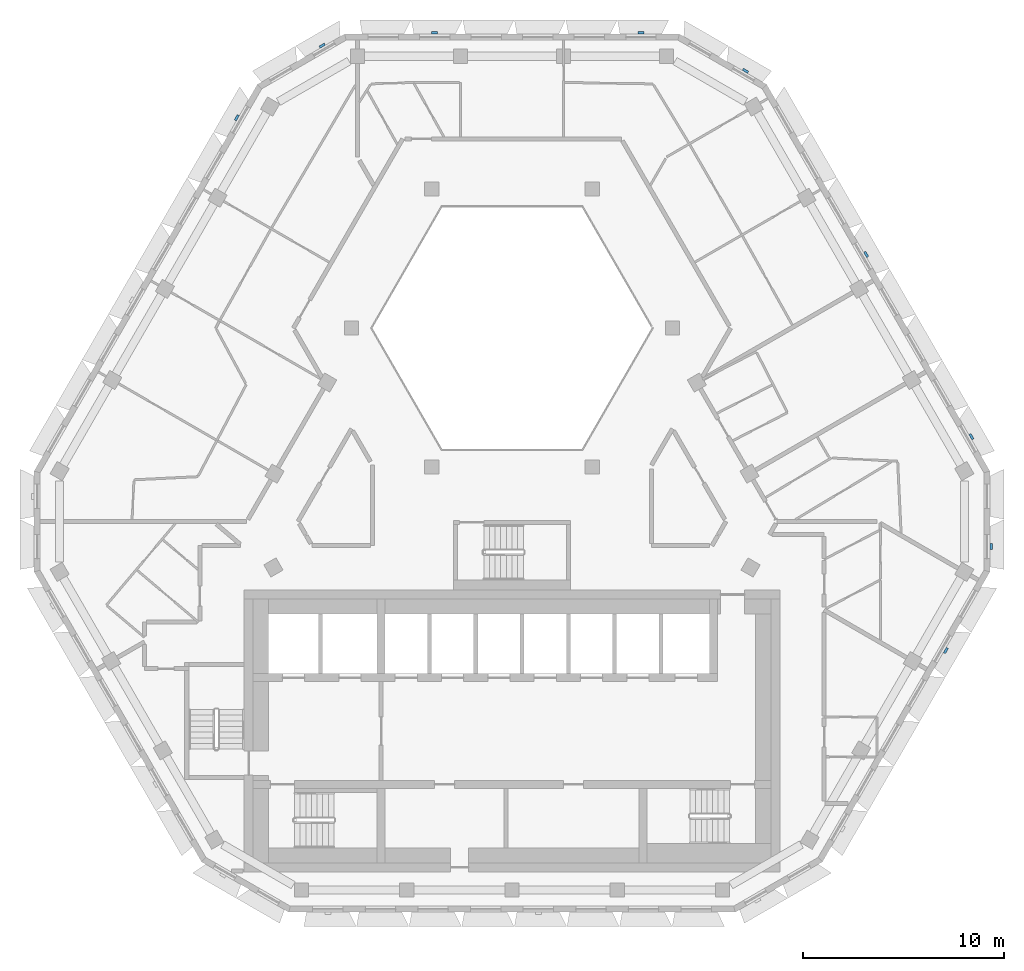
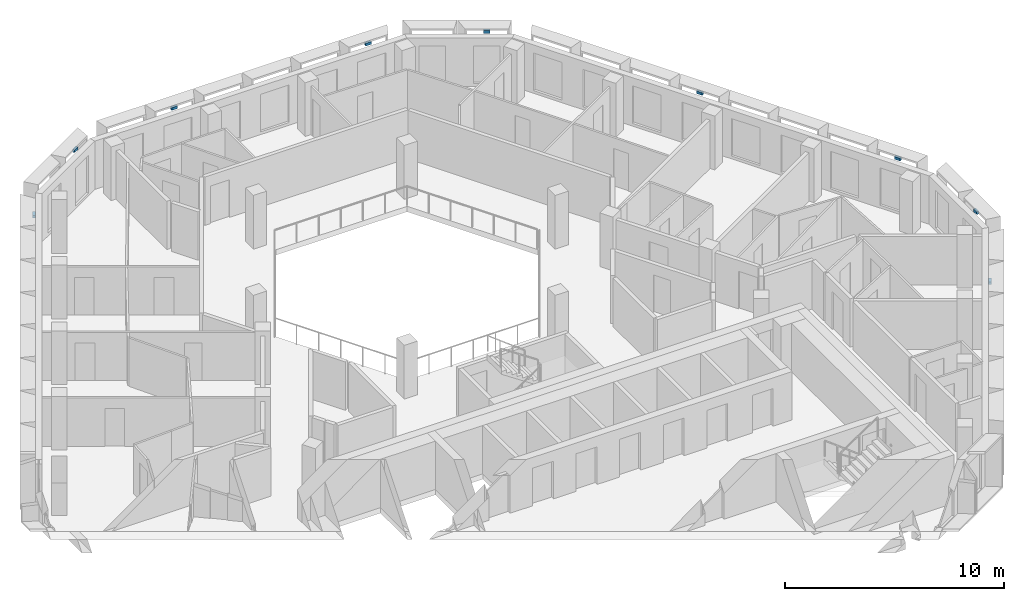
# One storey, part 9 of 16: 9 discrete accessories.
"""IFC4 building model written with IfcOpenShell, lengths in metres."""

import ifcopenshell
import ifcopenshell.guid

model = None  # the IFC model being written
_history = None  # IfcOwnerHistory: only IFC2X3 demands one
_inside = {}  # id of a spatial element -> (the spatial element, [elements in it])
_under = {}  # id of a project, library or spatial element -> (it, [spatial elements below it])
_declared = {}  # id of a project -> (the project, [libraries it declares])
_typed = {}  # id of a type object -> (the type object, [elements of that type])
_made_of = {}  # id of a material, layer set ... -> (it, [elements and type objects made of it])


def new_model(schema):
    """Start an empty IFC model of exactly this schema.

    Asked for "IFC4X3", IfcOpenShell would pick the latest addendum, in which some entities
    have other attributes; the version numbers below select the first issue.
    IFC2X3 requires an IfcOwnerHistory on every rooted entity: one is made here for all.
    """
    global model, _history
    if schema == "IFC4X3":
        model = ifcopenshell.file(schema_version=(4, 3, 0, 0))
    else:
        model = ifcopenshell.file(schema=schema)
    _inside.clear()
    _under.clear()
    _declared.clear()
    _typed.clear()
    _made_of.clear()
    _history = None
    if model.schema == "IFC2X3":
        org = make("IfcOrganization", Name="unknown")
        user = make(
            "IfcPersonAndOrganization",
            ThePerson=make("IfcPerson", FamilyName="unknown"),
            TheOrganization=org,
        )
        app = make(
            "IfcApplication",
            ApplicationDeveloper=org,
            Version="unknown",
            ApplicationFullName="unknown",
            ApplicationIdentifier="unknown",
        )
        _history = make(
            "IfcOwnerHistory",
            OwningUser=user,
            OwningApplication=app,
            ChangeAction="ADDED",
            CreationDate=0,
        )
    return model


def make(cls, **values):
    """One entity of the class cls with the attributes given. An attribute that is None is left unset."""
    return model.create_entity(
        cls, **{name: value for name, value in values.items() if value is not None}
    )


def rooted(cls, **values):
    """An entity with a GlobalId (a new one), such as an element, a storey or a relation."""
    return make(cls, GlobalId=ifcopenshell.guid.new(), OwnerHistory=_history, **values)


def si_unit(unit_type, name, prefix=None):
    """IfcSIUnit, for example si_unit("LENGTHUNIT", "METRE", prefix="MILLI")."""
    return make("IfcSIUnit", UnitType=unit_type, Prefix=prefix, Name=name)


def assignment(units):
    """IfcUnitAssignment: the units of a project."""
    return None if units is None else make("IfcUnitAssignment", Units=units)


def point(xyz):
    """IfcCartesianPoint."""
    return None if xyz is None else make("IfcCartesianPoint", Coordinates=xyz)


def direction(xyz):
    """IfcDirection."""
    return None if xyz is None else make("IfcDirection", DirectionRatios=xyz)


def frame(location, z_axis=None, x_axis=None):
    """IfcAxis2Placement3D, a coordinate frame: its origin and axes. An axis left out is left unset."""
    return make(
        "IfcAxis2Placement3D",
        Location=point(location),
        Axis=direction(z_axis),
        RefDirection=direction(x_axis),
    )


def origin():
    """The frame at (0, 0, 0) with its axes left unset."""
    return frame((0.0, 0.0, 0.0))


def place(relative_to, where):
    """IfcLocalPlacement: puts the frame where relative to a parent placement (None: the world)."""
    return make(
        "IfcLocalPlacement", PlacementRelTo=relative_to, RelativePlacement=where
    )


def context(
    kind, dimensions, precision=None, world=None, true_north=None, identifier=None
):
    """IfcGeometricRepresentationContext, for example the 3D "Model" context."""
    return make(
        "IfcGeometricRepresentationContext",
        ContextIdentifier=identifier,
        ContextType=kind,
        CoordinateSpaceDimension=dimensions,
        Precision=precision,
        WorldCoordinateSystem=world,
        TrueNorth=true_north,
    )


def subcontext(parent, identifier, kind, view, scale=None):
    """IfcGeometricRepresentationSubContext, for example "Body" below "Model"."""
    return make(
        "IfcGeometricRepresentationSubContext",
        ContextIdentifier=identifier,
        ContextType=kind,
        ParentContext=parent,
        TargetScale=scale,
        TargetView=view,
    )


def project(units=None, contexts=None):
    """IfcProject with its units and contexts."""
    return rooted(
        "IfcProject",
        Name="project",
        RepresentationContexts=contexts,
        UnitsInContext=assignment(units),
    )


def spatial(cls, under=None, at=None, **own):
    """A site, building, storey or space (cls), placed at a placement, below another one or the project."""
    s = rooted(cls, ObjectPlacement=at, **own)
    if under is not None:
        _under.setdefault(under.id(), (under, []))[1].append(s)
    return s


def polyline(points):
    """IfcPolyline through the points."""
    return make("IfcPolyline", Points=[point(p) for p in points])


def outline(outer, holes=None, kind="AREA"):
    """IfcArbitraryClosedProfileDef: a profile drawn as a closed curve; with holes, ...WithVoids."""
    if holes is None:
        return make("IfcArbitraryClosedProfileDef", ProfileType=kind, OuterCurve=outer)
    return make(
        "IfcArbitraryProfileDefWithVoids",
        ProfileType=kind,
        OuterCurve=outer,
        InnerCurves=holes,
    )


def extrude(swept, where, along, depth):
    """IfcExtrudedAreaSolid: the profile swept, set in the frame where, extruded along a direction by depth."""
    return make(
        "IfcExtrudedAreaSolid",
        SweptArea=swept,
        Position=where,
        ExtrudedDirection=direction(along),
        Depth=depth,
    )


def shape(context_of_items, identifier, shape_type, items):
    """IfcShapeRepresentation: the items that make up one representation, for example the "Body"."""
    return make(
        "IfcShapeRepresentation",
        ContextOfItems=context_of_items,
        RepresentationIdentifier=identifier,
        RepresentationType=shape_type,
        Items=items,
    )


def source(mapping_origin, context_of_items, identifier, shape_type, items):
    """IfcRepresentationMap: a shape defined once, which mapped items show again and again."""
    return make(
        "IfcRepresentationMap",
        MappingOrigin=mapping_origin,
        MappedRepresentation=shape(context_of_items, identifier, shape_type, items),
    )


def transform(
    local_origin,
    x_axis=None,
    y_axis=None,
    z_axis=None,
    scale=None,
    scale2=None,
    scale3=None,
    uniform=True,
):
    """IfcCartesianTransformationOperator3D, or its non-uniform kind. x_axis, y_axis, z_axis: its Axis1, 2, 3."""
    if uniform:
        return make(
            "IfcCartesianTransformationOperator3D",
            Axis1=direction(x_axis),
            Axis2=direction(y_axis),
            LocalOrigin=point(local_origin),
            Scale=scale,
            Axis3=direction(z_axis),
        )
    return make(
        "IfcCartesianTransformationOperator3DnonUniform",
        Axis1=direction(x_axis),
        Axis2=direction(y_axis),
        LocalOrigin=point(local_origin),
        Scale=scale,
        Axis3=direction(z_axis),
        Scale2=scale2,
        Scale3=scale3,
    )


def mapped(mapping_source, mapping_target):
    """IfcMappedItem: shows the shape of a source again, moved by a transform."""
    return make(
        "IfcMappedItem", MappingSource=mapping_source, MappingTarget=mapping_target
    )


def material(Name=None, Category=None):
    """IfcMaterial."""
    return make("IfcMaterial", Name=Name, Category=Category)


def made_of(thing, what):
    """Note that an element or type object is made of a material, layer set ...; save() writes the relation."""
    if what is not None:
        _made_of.setdefault(what.id(), (what, []))[1].append(thing)
    return thing


def type_object(cls, material=None, **own):
    """A type object (cls), such as IfcWallType, which elements share."""
    return made_of(rooted(cls, **own), material)


def type_shapes(of_type, sources):
    """Give a type object the sources (RepresentationMaps) that its elements show as mapped items."""
    of_type.RepresentationMaps = sources


def element(
    cls,
    number,
    at=None,
    inside=None,
    cuts=None,
    type_object=None,
    material=None,
    context=None,
    identifier="Body",
    shape_type=None,
    held_by="IfcProductDefinitionShape",
    body=None,
    shapes=None,
    **own,
):
    """One element of the class cls, such as IfcWall. Its Tag is "e" and its number.

    at: its placement. inside: the storey or other place that contains it. cuts: it is an
    opening in that element (IfcRelVoidsElement). A single representation is given by context,
    identifier, shape_type and body (its items); several are given by shapes. held_by: the class
    of the entity that holds the representations. save() writes the other relations.
    """
    e = rooted(cls, Tag="e%d" % number, ObjectPlacement=at, **own)
    if body is not None:
        shapes = [shape(context, identifier, shape_type, body)]
    if shapes is not None:
        e.Representation = make(held_by, Representations=shapes)
    if inside is not None:
        _inside.setdefault(inside.id(), (inside, []))[1].append(e)
    if cuts is not None:
        rooted(
            "IfcRelVoidsElement", RelatingBuildingElement=cuts, RelatedOpeningElement=e
        )
    if type_object is not None:
        _typed.setdefault(type_object.id(), (type_object, []))[1].append(e)
    return made_of(e, material)


def aggregate(whole, parts):
    """IfcRelAggregates: a whole, such as a stair, and the parts it consists of."""
    return rooted("IfcRelAggregates", RelatingObject=whole, RelatedObjects=parts)


def save(model, path):
    """Write the relations noted so far, then the file.

    IfcRelAggregates (storeys below a building ...), IfcRelContainedInSpatialStructure (elements
    in a storey), IfcRelDefinesByType, IfcRelAssociatesMaterial and IfcRelDeclares: one each for
    every whole, place, type object, material and project.
    """
    for whole, parts in _under.values():
        aggregate(whole, parts)
    for where, things in _inside.values():
        rooted(
            "IfcRelContainedInSpatialStructure",
            RelatedElements=things,
            RelatingStructure=where,
        )
    for kind, things in _typed.values():
        rooted("IfcRelDefinesByType", RelatedObjects=things, RelatingType=kind)
    for what, things in _made_of.values():
        rooted("IfcRelAssociatesMaterial", RelatedObjects=things, RelatingMaterial=what)
    for by, libraries in _declared.values():
        rooted("IfcRelDeclares", RelatingContext=by, RelatedDefinitions=libraries)
    model.write(path)


model = new_model("IFC4")

# Units and contexts
model_context = context("Model", 3, precision=1e-05, world=origin(), true_north=direction((0.0, 1.0)))
body_context = subcontext(model_context, "Body", "Model", "MODEL_VIEW")
ifc_project = project(units=[si_unit("LENGTHUNIT", "METRE"), si_unit("AREAUNIT", "SQUARE_METRE"), si_unit("VOLUMEUNIT", "CUBIC_METRE"), si_unit("PLANEANGLEUNIT", "RADIAN"), si_unit("MASSUNIT", "GRAM", prefix="KILO")], contexts=[model_context])

# Site, building, storey
site_placement = place(None, origin())
site = spatial("IfcSite", under=ifc_project, at=site_placement, CompositionType="ELEMENT")
building_placement = place(site_placement, origin())
building = spatial("IfcBuilding", under=site, at=building_placement, Name="Beryl Residences", CompositionType="ELEMENT")
storey_placement = place(building_placement, frame((0.0, 0.0, 238.800048828125)))
storey = spatial("IfcBuildingStorey", under=building, at=storey_placement, Name="L74", CompositionType="ELEMENT", Elevation=238.800048828125)

# Discrete accessories
ifc_material = material(Name="Steel S355", Category="steel")
discrete_accessory_type = type_object("IfcDiscreteAccessoryType", Name="BR1 frame bracket 300 x 120 x 150 mm", PredefinedType="BRACKET", material=ifc_material)
shared_shape = source(origin(), body_context, "Body", "SweptSolid", [
    extrude(outline(polyline([(-0.14990234375, 0.0), (0.14990234375, 0.0), (0.14990234375, 0.1201171875), (-0.14990234375, 0.1201171875), (-0.14990234375, 0.0)])), origin(), (0.0, 0.0, 1.0), 0.14990234375),
])
type_shapes(discrete_accessory_type, [shared_shape])
for number, where, z_axis, x_axis, name in (
    (1, (6.39892578125, 22.60009765625, 2.75), (0.0, 0.0, 1.0), (1.0, 0.0, 0.0), "BR1 bracket L74 N 1"),
    (2, (-3.839111328125, 22.60009765625, 2.75), (0.0, 0.0, 1.0), (1.0, 0.0, 0.0), "BR1 bracket L74 N 5"),
    (3, (-9.39599609375, 21.97509765625, 2.75), (0.0, 0.0, 1.0), (0.866025403784, 0.5, 0.0), "BR1 bracket L74 N-NW 1"),
    (4, (-13.614013671875, 18.4189453125, 2.75), (0.0, 0.0, 1.0), (0.5, 0.866025403784, 0.0), "BR1 bracket L74 NW 1"),
    (5, (21.490966796875, -7.97607421875, 2.75), (0.0, 0.0, 1.0), (-0.5, -0.866025403784, 0.0), "BR1 bracket L74 SE 5"),
    (6, (23.72900390625, -2.85009765625, 2.75), (0.0, 0.0, 1.0), (0.0, -1.0, 0.0), "BR1 bracket L74 SE-NE 1"),
    (7, (22.758056640625, 2.5810546875, 2.75), (0.0, 0.0, 1.0), (0.5, -0.866025403784, 0.0), "BR1 bracket L74 NE 1"),
    (8, (17.532958984375, 11.631103515625, 2.75), (0.0, 0.0, 1.0), (0.5, -0.866025403784, 0.0), "BR1 bracket L74 NE 5"),
    (9, (11.56103515625, 20.72509765625, 2.75), (0.0, 0.0, 1.0), (0.866025403784, -0.5, 0.0), "BR1 bracket L74 NE-N 1"),
):
    element("IfcDiscreteAccessory", number, at=place(storey_placement, frame(where, z_axis=z_axis, x_axis=x_axis)), inside=storey, type_object=discrete_accessory_type, Name=name, PredefinedType="BRACKET", context=body_context, shape_type="MappedRepresentation", body=[
        mapped(shared_shape, transform((0.0, 0.0, 0.0))),
    ])

save(model, "model.ifc")
